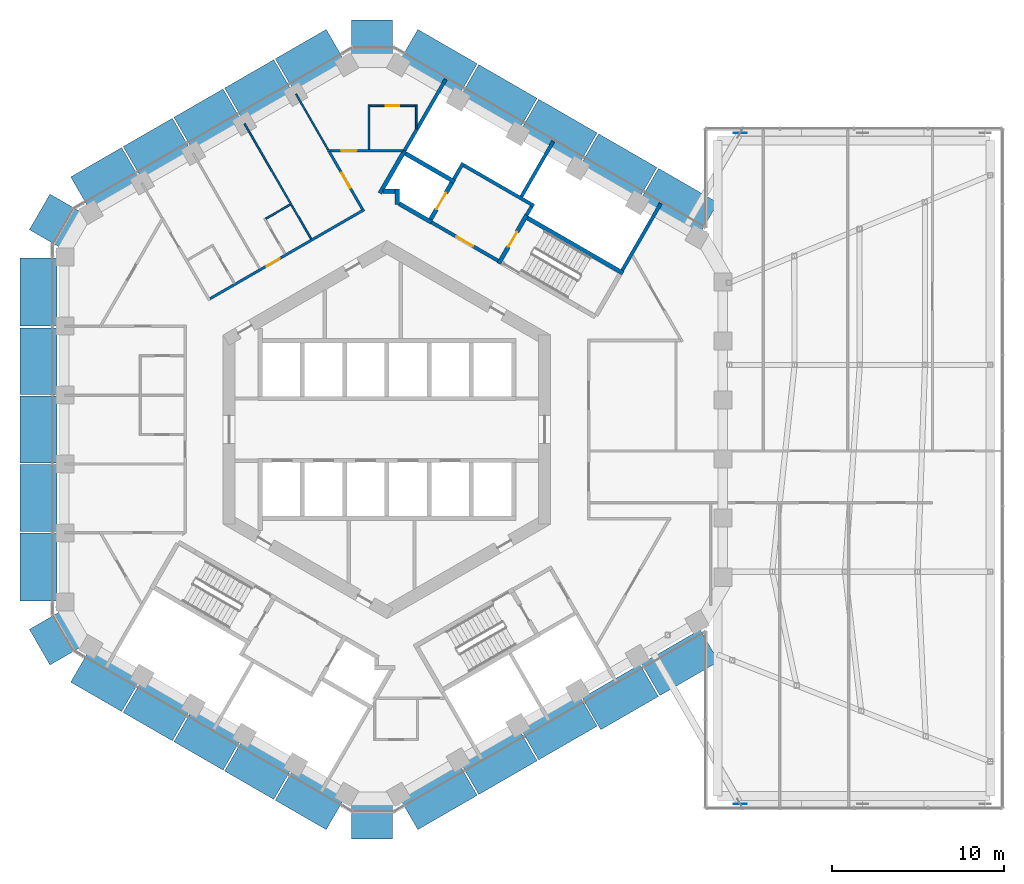
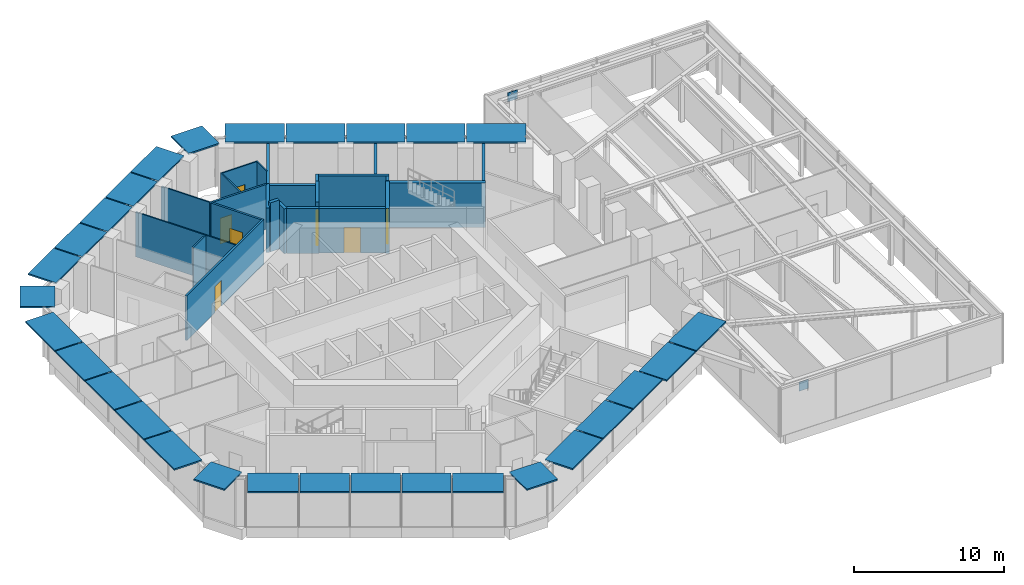
# One storey, part 19 of 24: 31 discrete accessories, 24 walls, 7 doors, 7 openings.
"""IFC4 building model written with IfcOpenShell, lengths in metres."""

from ifc_helpers import new_model, si_unit, direction, frame, frame_2d, origin, origin_2d, place, context, subcontext, project, spatial, rectangle, extrude, material, layer, layer_set, type_object, element, fill, save


model = new_model("IFC4")

# Units and contexts
model_context = context("Model", 3, precision=1e-05, world=origin(), true_north=direction((0.0, 1.0)))
body_context = subcontext(model_context, "Body", "Model", "MODEL_VIEW")
ifc_project = project(units=[si_unit("LENGTHUNIT", "METRE"), si_unit("AREAUNIT", "SQUARE_METRE"), si_unit("VOLUMEUNIT", "CUBIC_METRE"), si_unit("PLANEANGLEUNIT", "RADIAN"), si_unit("MASSUNIT", "GRAM", prefix="KILO")], contexts=[model_context])

# Site, building, storey
site_placement = place(None, origin())
site = spatial("IfcSite", under=ifc_project, at=site_placement, CompositionType="ELEMENT")
building_placement = place(site_placement, origin())
building = spatial("IfcBuilding", under=site, at=building_placement, Name="Ayvan Gate Tower", CompositionType="ELEMENT")
storey_placement = place(building_placement, frame((0.0, 0.0, 128.5)))
storey = spatial("IfcBuildingStorey", under=building, at=storey_placement, Name="L34", CompositionType="ELEMENT", Elevation=128.5)

# Wall, opening, door
ifc_material_1 = material(Name="Plasterboard on steel stud", Category="steel")
ifc_layer_1 = layer(ifc_material_1, 0.14990234375)
ifc_layer_set_1 = layer_set([ifc_layer_1], Name="Plasterboard on steel stud")
wall_type_1 = type_object("IfcWallType", Name="WT-CORR-150", PredefinedType="PARTITIONING", material=ifc_layer_set_1)
wall_1_placement = place(storey_placement, frame((-10.255126953125, 7.589111328125, 0.0), z_axis=(0.0, 0.0, 1.0), x_axis=(0.866015055687, 0.500017923002, 0.0)))
wall_1 = element("IfcWall", 1, at=wall_1_placement, inside=storey, type_object=wall_type_1, Name="IW-L34-018", PredefinedType="PARTITIONING", context=body_context, shape_type="SweptSolid", body=[
    extrude(rectangle(XDim=10.3232421875, YDim=0.14990234375, at=frame_2d((5.16162109375, 0.0))), origin(), (0.0, 0.0, 1.0), 3.64990234375),
])
opening_1_placement = place(wall_1_placement, frame((3.76611328125, 0.0, 0.0)))
opening_1 = element("IfcOpeningElement", 2, at=opening_1_placement, cuts=wall_1, Name="Opening L34-D29", PredefinedType="OPENING", context=body_context, shape_type="SweptSolid", body=[
    extrude(rectangle(XDim=0.89990234375, YDim=2.10009765625, at=frame_2d((0.449951171875, 1.050048828125))), frame((0.0, 0.0849609375, 0.0), z_axis=(0.0, -1.0, 0.0), x_axis=(1.0, 0.0, 0.0)), (0.0, 0.0, 1.0), 0.169921875),
])
ifc_material_2 = material(Name="Timber door leaf", Category="wood")
door_type_1 = type_object("IfcDoorType", Name="DT-900", OperationType="NOTDEFINED", PredefinedType="DOOR", material=ifc_material_2)
door_1_placement = place(opening_1_placement, origin())
door_1 = element("IfcDoor", 3, at=door_1_placement, inside=storey, type_object=door_type_1, Name="ID-L34-029", OperationType="SINGLE_SWING_LEFT", OverallHeight=2.10009765625, OverallWidth=0.89990234375, PredefinedType="DOOR", context=body_context, shape_type="SweptSolid", body=[
    extrude(rectangle(XDim=0.89990234375, YDim=2.10009765625, at=frame_2d((0.449951171875, 1.050048828125))), frame((0.0, 0.02490234375, 0.0), z_axis=(0.0, -1.0, 0.0), x_axis=(1.0, 0.0, 0.0)), (0.0, 0.0, 1.0), 0.050048828125),
])
fill(opening_1, door_1)

wall_2_placement = place(storey_placement, frame((-3.455322265625, 16.178466796875, 0.0), z_axis=(0.0, 0.0, 1.0), x_axis=(1.0, 0.0, 0.0)))
wall_2 = element("IfcWall", 4, at=wall_2_placement, inside=storey, type_object=wall_type_1, Name="IW-L34-044", PredefinedType="PARTITIONING", context=body_context, shape_type="SweptSolid", body=[
    extrude(rectangle(XDim=4.382080078125, YDim=0.14990234375, at=frame_2d((2.19091796875, 0.0))), origin(), (0.0, 0.0, 1.0), 3.64990234375),
])
opening_2_placement = place(wall_2_placement, frame((0.79541015625, 0.0, 0.0)))
opening_2 = element("IfcOpeningElement", 5, at=opening_2_placement, cuts=wall_2, Name="Opening L34-D17", PredefinedType="OPENING", context=body_context, shape_type="SweptSolid", body=[
    extrude(rectangle(XDim=0.89990234375, YDim=2.10009765625, at=frame_2d((0.449951171875, 1.050048828125))), frame((0.0, 0.0849609375, 0.0), z_axis=(0.0, -1.0, 0.0), x_axis=(1.0, 0.0, 0.0)), (0.0, 0.0, 1.0), 0.169921875),
])
door_2_placement = place(opening_2_placement, origin())
door_2 = element("IfcDoor", 6, at=door_2_placement, inside=storey, type_object=door_type_1, Name="ID-L34-017", OperationType="SINGLE_SWING_LEFT", OverallHeight=2.10009765625, OverallWidth=0.89990234375, PredefinedType="DOOR", context=body_context, shape_type="SweptSolid", body=[
    extrude(rectangle(XDim=0.89990234375, YDim=2.10009765625, at=frame_2d((0.449951171875, 1.050048828125))), frame((0.0, 0.02490234375, 0.0), z_axis=(0.0, -1.0, 0.0), x_axis=(1.0, 0.0, 0.0)), (0.0, 0.0, 1.0), 0.050048828125),
])
fill(opening_2, door_2)

wall_3_placement = place(storey_placement, frame((-1.417236328125, 12.7783203125, 0.0), z_axis=(0.0, 0.0, 1.0), x_axis=(-0.500018796845, 0.866014551149, 0.0)))
wall_3 = element("IfcWall", 7, at=wall_3_placement, inside=storey, type_object=wall_type_1, Name="IW-L34-050", PredefinedType="PARTITIONING", context=body_context, shape_type="SweptSolid", body=[
    extrude(rectangle(XDim=3.850830078125, YDim=0.14990234375, at=frame_2d((1.92529296875, 0.0))), origin(), (0.0, 0.0, 1.0), 3.64990234375),
])
opening_3_placement = place(wall_3_placement, frame((1.425537109375, 0.0, 0.0)))
opening_3 = element("IfcOpeningElement", 8, at=opening_3_placement, cuts=wall_3, Name="Opening L34-D28", PredefinedType="OPENING", context=body_context, shape_type="SweptSolid", body=[
    extrude(rectangle(XDim=1.0, YDim=2.10009765625, at=frame_2d((0.5, 1.050048828125))), frame((0.0, 0.0849609375, 0.0), z_axis=(0.0, -1.0, 0.0), x_axis=(1.0, 0.0, 0.0)), (0.0, 0.0, 1.0), 0.169921875),
])
door_type_2 = type_object("IfcDoorType", Name="DT-1000", OperationType="NOTDEFINED", PredefinedType="DOOR", material=ifc_material_2)
door_3_placement = place(opening_3_placement, origin())
door_3 = element("IfcDoor", 9, at=door_3_placement, inside=storey, type_object=door_type_2, Name="ID-L34-028", OperationType="SINGLE_SWING_RIGHT", OverallHeight=2.10009765625, OverallWidth=1.0, PredefinedType="DOOR", context=body_context, shape_type="SweptSolid", body=[
    extrude(rectangle(XDim=1.0, YDim=2.10009765625, at=frame_2d((0.5, 1.050048828125))), frame((0.0, 0.02490234375, 0.0), z_axis=(0.0, -1.0, 0.0), x_axis=(1.0, 0.0, 0.0)), (0.0, 0.0, 1.0), 0.050048828125),
])
fill(opening_3, door_3)

# Walls
ifc_layer_2 = layer(ifc_material_1, 0.10009765625)
ifc_layer_set_2 = layer_set([ifc_layer_2], Name="Plasterboard on steel stud")
wall_type_2 = type_object("IfcWallType", Name="WT-PART-100", PredefinedType="PARTITIONING", material=ifc_layer_set_2)
wall_4_placement = place(storey_placement, frame((-5.603271484375, 13.046142578125, 0.0), z_axis=(0.0, 0.0, 1.0), x_axis=(-0.866009679343, -0.500027234542, 0.0)))
element("IfcWall", 10, at=wall_4_placement, inside=storey, type_object=wall_type_2, Name="IW-L34-035", PredefinedType="PARTITIONING", context=body_context, shape_type="SweptSolid", body=[
    extrude(rectangle(XDim=1.64111328125, YDim=0.10009765625, at=frame_2d((0.820556640625, 0.0))), origin(), (0.0, 0.0, 1.0), 3.64990234375),
])
wall_5_placement = place(storey_placement, frame((-8.252685546875, 17.7353515625, 0.0), z_axis=(0.0, 0.0, 1.0), x_axis=(0.499983743644, -0.866034789193, 0.0)))
element("IfcWall", 11, at=wall_5_placement, inside=storey, type_object=wall_type_2, Name="IW-L34-036", PredefinedType="PARTITIONING", context=body_context, shape_type="SweptSolid", body=[
    extrude(rectangle(XDim=7.710693359375, YDim=0.10009765625, at=frame_2d((3.85546875, 0.0))), origin(), (0.0, 0.0, 1.0), 3.64990234375),
])
wall_6_placement = place(storey_placement, frame((-3.417724609375, 16.243408203125, 0.0), z_axis=(0.0, 0.0, 1.0), x_axis=(-0.500060473882, 0.865990486357, 0.0)))
element("IfcWall", 12, at=wall_6_placement, inside=storey, type_object=wall_type_2, Name="IW-L34-043", PredefinedType="PARTITIONING", context=body_context, shape_type="SweptSolid", body=[
    extrude(rectangle(XDim=3.70947265625, YDim=0.10009765625, at=frame_2d((1.854736328125, 0.0))), origin(), (0.0, 0.0, 1.0), 3.64990234375),
])
wall_7_placement = place(storey_placement, frame((-1.044189453125, 18.828369140625, 0.0), z_axis=(0.0, 0.0, 1.0), x_axis=(0.0, -1.0, 0.0)))
element("IfcWall", 13, at=wall_7_placement, inside=storey, type_object=wall_type_2, Name="IW-L34-051", PredefinedType="PARTITIONING", context=body_context, shape_type="SweptSolid", body=[
    extrude(rectangle(XDim=2.574951171875, YDim=0.10009765625, at=frame_2d((1.28759765625, 0.0))), origin(), (0.0, 0.0, 1.0), 3.64990234375),
])
wall_8_placement = place(storey_placement, frame((1.697509765625, 17.4404296875, 0.0), z_axis=(0.0, 0.0, 1.0), x_axis=(0.0, 1.0, 0.0)))
element("IfcWall", 14, at=wall_8_placement, inside=storey, type_object=wall_type_2, Name="IW-L34-070", PredefinedType="PARTITIONING", context=body_context, shape_type="SweptSolid", body=[
    extrude(rectangle(XDim=1.387939453125, YDim=0.10009765625, at=frame_2d((0.69384765625, 0.0))), origin(), (0.0, 0.0, 1.0), 3.64990234375),
])

# Wall, opening, door
wall_9_placement = place(storey_placement, frame((1.647705078125, 18.7783203125, 0.0), z_axis=(0.0, 0.0, 1.0), x_axis=(-1.0, 0.0, 0.0)))
wall_9 = element("IfcWall", 15, at=wall_9_placement, inside=storey, type_object=wall_type_2, Name="IW-L34-071", PredefinedType="PARTITIONING", context=body_context, shape_type="SweptSolid", body=[
    extrude(rectangle(XDim=2.641845703125, YDim=0.10009765625, at=frame_2d((1.32080078125, 0.0))), origin(), (0.0, 0.0, 1.0), 3.64990234375),
])
opening_4_placement = place(wall_9_placement, frame((0.9208984375, 0.0, 0.0)))
opening_4 = element("IfcOpeningElement", 16, at=opening_4_placement, cuts=wall_9, Name="Opening L34-D18", PredefinedType="OPENING", context=body_context, shape_type="SweptSolid", body=[
    extrude(rectangle(XDim=0.800048828125, YDim=2.10009765625, at=frame_2d((0.39990234375, 1.050048828125))), frame((0.0, 0.06005859375, 0.0), z_axis=(0.0, -1.0, 0.0), x_axis=(1.0, 0.0, 0.0)), (0.0, 0.0, 1.0), 0.1201171875),
])
door_type_3 = type_object("IfcDoorType", Name="DT-800", OperationType="NOTDEFINED", PredefinedType="DOOR", material=ifc_material_2)
door_4_placement = place(opening_4_placement, origin())
door_4 = element("IfcDoor", 17, at=door_4_placement, inside=storey, type_object=door_type_3, Name="ID-L34-018", OperationType="SINGLE_SWING_RIGHT", OverallHeight=2.10009765625, OverallWidth=0.800048828125, PredefinedType="DOOR", context=body_context, shape_type="SweptSolid", body=[
    extrude(rectangle(XDim=0.800048828125, YDim=2.10009765625, at=frame_2d((0.39990234375, 1.050048828125))), frame((0.0, 0.02490234375, 0.0), z_axis=(0.0, -1.0, 0.0), x_axis=(1.0, 0.0, 0.0)), (0.0, 0.0, 1.0), 0.050048828125),
])
fill(opening_4, door_4)

# Walls
ifc_layer_3 = layer(ifc_material_1, 0.199951171875)
ifc_layer_set_3 = layer_set([ifc_layer_3], Name="Plasterboard on steel stud")
wall_type_3 = type_object("IfcWallType", Name="WT-PLUMB-200", PredefinedType="PLUMBINGWALL", material=ifc_layer_set_3)
wall_10_placement = place(storey_placement, frame((1.027099609375, 16.178955078125, 0.0), z_axis=(0.0, 0.0, 1.0), x_axis=(0.499991561973, 0.866030275427, 0.0)))
element("IfcWall", 18, at=wall_10_placement, inside=storey, type_object=wall_type_3, Name="IW-L34-066", PredefinedType="PLUMBINGWALL", context=body_context, shape_type="SweptSolid", body=[
    extrude(rectangle(XDim=4.76416015625, YDim=0.199951171875, at=frame_2d((2.382080078125, 0.0))), origin(), (0.0, 0.0, 1.0), 3.64990234375),
])
wall_11_placement = place(storey_placement, frame((3.885009765625, 14.52880859375, 0.0), z_axis=(0.0, 0.0, 1.0), x_axis=(0.499997628298, 0.866026773083, 0.0)))
element("IfcWall", 19, at=wall_11_placement, inside=storey, type_object=wall_type_3, Name="IW-L34-080", PredefinedType="PLUMBINGWALL", context=body_context, shape_type="SweptSolid", body=[
    extrude(rectangle(XDim=1.0751953125, YDim=0.199951171875, at=frame_2d((0.53759765625, 0.0))), origin(), (0.0, 0.0, 1.0), 3.64990234375),
])
wall_12_placement = place(storey_placement, frame((4.458984375, 15.323486328125, 0.0), z_axis=(0.0, 0.0, 1.0), x_axis=(0.866016039709, -0.500016218704, 0.0)))
element("IfcWall", 20, at=wall_12_placement, inside=storey, type_object=wall_type_3, Name="IW-L34-081", PredefinedType="PLUMBINGWALL", context=body_context, shape_type="SweptSolid", body=[
    extrude(rectangle(XDim=4.699951171875, YDim=0.199951171875, at=frame_2d((2.35009765625, 0.0))), origin(), (0.0, 0.0, 1.0), 3.64990234375),
])
wall_13_placement = place(storey_placement, frame((7.800048828125, 13.510009765625, 0.0), z_axis=(0.0, 0.0, 1.0), x_axis=(0.499989793889, 0.866031296205, 0.0)))
element("IfcWall", 21, at=wall_13_placement, inside=storey, type_object=wall_type_3, Name="IW-L34-093", PredefinedType="PLUMBINGWALL", context=body_context, shape_type="SweptSolid", body=[
    extrude(rectangle(XDim=3.68896484375, YDim=0.199951171875, at=frame_2d((1.844482421875, 0.0))), origin(), (0.0, 0.0, 1.0), 3.64990234375),
])
wall_14_placement = place(storey_placement, frame((8.392822265625, 12.936767578125, 0.0), z_axis=(0.0, 0.0, 1.0), x_axis=(-0.500065409566, -0.86598763626, 0.0)))
element("IfcWall", 22, at=wall_14_placement, inside=storey, type_object=wall_type_3, Name="IW-L34-095", PredefinedType="PLUMBINGWALL", context=body_context, shape_type="SweptSolid", body=[
    extrude(rectangle(XDim=0.5751953125, YDim=0.199951171875, at=frame_2d((0.28759765625, 0.0))), origin(), (0.0, 0.0, 1.0), 3.64990234375),
])
wall_15_placement = place(storey_placement, frame((13.64794921875, 9.23876953125, 0.0), z_axis=(0.0, 0.0, 1.0), x_axis=(0.499962311098, 0.866047162388, 0.0)))
element("IfcWall", 23, at=wall_15_placement, inside=storey, type_object=wall_type_3, Name="IW-L34-106", PredefinedType="PLUMBINGWALL", context=body_context, shape_type="SweptSolid", body=[
    extrude(rectangle(XDim=4.464111328125, YDim=0.199951171875, at=frame_2d((2.23193359375, 0.0))), origin(), (0.0, 0.0, 1.0), 3.64990234375),
])

# Wall, opening, door
ifc_layer_4 = layer(ifc_material_1, 0.199951171875)
ifc_layer_set_4 = layer_set([ifc_layer_4], Name="Plasterboard on steel stud")
wall_type_4 = type_object("IfcWallType", Name="WT-RATED-200", PredefinedType="PARTITIONING", material=ifc_layer_set_4)
wall_16_placement = place(storey_placement, frame((6.4345703125, 9.794921875, 0.0), z_axis=(0.0, 0.0, 1.0), x_axis=(-0.866012907634, 0.500021643343, 0.0)))
wall_16 = element("IfcWall", 24, at=wall_16_placement, inside=storey, type_object=wall_type_4, Name="IW-L34-084", PredefinedType="PARTITIONING", context=body_context, shape_type="SweptSolid", body=[
    extrude(rectangle(XDim=4.449951171875, YDim=0.199951171875, at=frame_2d((2.22509765625, 0.0))), origin(), (0.0, 0.0, 1.0), 3.64990234375),
])
opening_5_placement = place(wall_16_placement, frame((1.675048828125, 0.0, 0.0)))
opening_5 = element("IfcOpeningElement", 25, at=opening_5_placement, cuts=wall_16, Name="Opening L34-D08", PredefinedType="OPENING", context=body_context, shape_type="SweptSolid", body=[
    extrude(rectangle(XDim=1.10009765625, YDim=2.10009765625, at=frame_2d((0.550048828125, 1.050048828125))), frame((0.0, 0.10986328125, 0.0), z_axis=(0.0, -1.0, 0.0), x_axis=(1.0, 0.0, 0.0)), (0.0, 0.0, 1.0), 0.219970703125),
])
door_type_4 = type_object("IfcDoorType", Name="DT-1100", OperationType="NOTDEFINED", PredefinedType="DOOR", material=ifc_material_2)
door_5_placement = place(opening_5_placement, origin())
door_5 = element("IfcDoor", 26, at=door_5_placement, inside=storey, type_object=door_type_4, Name="ID-L34-008", OperationType="SINGLE_SWING_RIGHT", OverallHeight=2.10009765625, OverallWidth=1.10009765625, PredefinedType="DOOR", context=body_context, shape_type="SweptSolid", body=[
    extrude(rectangle(XDim=1.10009765625, YDim=2.10009765625, at=frame_2d((0.550048828125, 1.050048828125))), frame((0.0, 0.02490234375, 0.0), z_axis=(0.0, -1.0, 0.0), x_axis=(1.0, 0.0, 0.0)), (0.0, 0.0, 1.0), 0.050048828125),
])
fill(opening_5, door_5)

# Walls
ifc_material_3 = material(Name="Concrete C50/60", Category="concrete")
ifc_layer_5 = layer(ifc_material_3, 0.25)
ifc_layer_set_5 = layer_set([ifc_layer_5], Name="Concrete C50/60")
wall_type_5 = type_object("IfcWallType", Name="WT-RC-250", PredefinedType="SHEAR", material=ifc_layer_set_5)
wall_17_placement = place(storey_placement, frame((-0.403076171875, 13.70166015625, 0.0), z_axis=(0.0, 0.0, 1.0), x_axis=(0.499976111731, 0.866039195244, 0.0)))
element("IfcWall", 27, at=wall_17_placement, inside=storey, type_object=wall_type_5, Name="IW-L34-059", PredefinedType="SHEAR", context=body_context, shape_type="SweptSolid", body=[
    extrude(rectangle(XDim=2.860595703125, YDim=0.25, at=frame_2d((1.43017578125, 0.0))), origin(), (0.0, 0.0, 1.0), 3.64990234375),
])
wall_18_placement = place(storey_placement, frame((0.60009765625, 13.03857421875, 0.0), z_axis=(0.0, 0.0, 1.0), x_axis=(0.0, 1.0, 0.0)))
element("IfcWall", 28, at=wall_18_placement, inside=storey, type_object=wall_type_5, Name="IW-L34-063", PredefinedType="SHEAR", context=body_context, shape_type="SweptSolid", body=[
    extrude(rectangle(XDim=0.896484375, YDim=0.25, at=frame_2d((0.4482421875, 0.0))), origin(), (0.0, 0.0, 1.0), 3.64990234375),
])
wall_19_placement = place(storey_placement, frame((0.47509765625, 13.81005859375, 0.0), z_axis=(0.0, 0.0, 1.0), x_axis=(-1.0, 0.0, 0.0)))
element("IfcWall", 29, at=wall_19_placement, inside=storey, type_object=wall_type_5, Name="IW-L34-064", PredefinedType="SHEAR", context=body_context, shape_type="SweptSolid", body=[
    extrude(rectangle(XDim=0.690673828125, YDim=0.25, at=frame_2d((0.34521484375, 0.0))), origin(), (0.0, 0.0, 1.0), 4.0),
])
wall_20_placement = place(storey_placement, frame((1.072998046875, 16.00830078125, 0.0), z_axis=(0.0, 0.0, 1.0), x_axis=(0.866040211805, -0.499974350878, 0.0)))
element("IfcWall", 30, at=wall_20_placement, inside=storey, type_object=wall_type_5, Name="IW-L34-067", PredefinedType="SHEAR", context=body_context, shape_type="SweptSolid", body=[
    extrude(rectangle(XDim=3.300048828125, YDim=0.25, at=frame_2d((1.64990234375, 0.0))), origin(), (0.0, 0.0, 1.0), 3.64990234375),
])
wall_21_placement = place(storey_placement, frame((2.580810546875, 12.02001953125, 0.0), z_axis=(0.0, 0.0, 1.0), x_axis=(-0.86603892542, 0.499976579108, 0.0)))
element("IfcWall", 31, at=wall_21_placement, inside=storey, type_object=wall_type_5, Name="IW-L34-076", PredefinedType="SHEAR", context=body_context, shape_type="SweptSolid", body=[
    extrude(rectangle(XDim=2.162109375, YDim=0.25, at=frame_2d((1.0810546875, 0.0))), origin(), (0.0, 0.0, 1.0), 3.64990234375),
])

# Wall, opening, door
wall_22_placement = place(storey_placement, frame((2.534912109375, 12.19091796875, 0.0), z_axis=(0.0, 0.0, 1.0), x_axis=(0.500061746146, 0.865989751695, 0.0)))
wall_22 = element("IfcWall", 32, at=wall_22_placement, inside=storey, type_object=wall_type_5, Name="IW-L34-077", PredefinedType="SHEAR", context=body_context, shape_type="SweptSolid", body=[
    extrude(rectangle(XDim=2.449951171875, YDim=0.25, at=frame_2d((1.22509765625, 0.0))), origin(), (0.0, 0.0, 1.0), 4.0),
])
opening_6_placement = place(wall_22_placement, frame((0.675048828125, 0.0, 0.0)))
opening_6 = element("IfcOpeningElement", 33, at=opening_6_placement, cuts=wall_22, Name="Opening L34-LD-FF1", PredefinedType="OPENING", context=body_context, shape_type="SweptSolid", body=[
    extrude(rectangle(XDim=1.10009765625, YDim=2.10009765625, at=frame_2d((0.550048828125, 1.050048828125))), frame((0.0, 0.135009765625, 0.0), z_axis=(0.0, -1.0, 0.0), x_axis=(1.0, 0.0, 0.0)), (0.0, 0.0, 1.0), 0.27001953125),
])
ifc_material_4 = material(Name="Stainless steel landing door", Category="steel")
door_type_5 = type_object("IfcDoorType", Name="DT-LANDING-1100", OperationType="SLIDING_TO_LEFT", PredefinedType="DOOR", material=ifc_material_4)
door_6_placement = place(opening_6_placement, origin())
door_6 = element("IfcDoor", 34, at=door_6_placement, inside=storey, type_object=door_type_5, Name="ID-L34-009", OperationType="SLIDING_TO_LEFT", OverallHeight=2.10009765625, OverallWidth=1.10009765625, PredefinedType="DOOR", context=body_context, shape_type="SweptSolid", body=[
    extrude(rectangle(XDim=1.10009765625, YDim=2.10009765625, at=frame_2d((0.550048828125, 1.050048828125))), frame((0.0, 0.02490234375, 0.0), z_axis=(0.0, -1.0, 0.0), x_axis=(1.0, 0.0, 0.0)), (0.0, 0.0, 1.0), 0.050048828125),
])
fill(opening_6, door_6)

wall_23_placement = place(storey_placement, frame((6.480224609375, 9.624267578125, 0.0), z_axis=(0.0, 0.0, 1.0), x_axis=(0.500017246033, 0.866015446554, 0.0)))
wall_23 = element("IfcWall", 35, at=wall_23_placement, inside=storey, type_object=wall_type_5, Name="IW-L34-085", PredefinedType="SHEAR", context=body_context, shape_type="SweptSolid", body=[
    extrude(rectangle(XDim=3.25, YDim=0.25, at=frame_2d((1.625, 0.0))), origin(), (0.0, 0.0, 1.0), 3.64990234375),
])
opening_7_placement = place(wall_23_placement, frame((1.125, 0.0, 0.0)))
opening_7 = element("IfcOpeningElement", 36, at=opening_7_placement, cuts=wall_23, Name="Opening L34-D07", PredefinedType="OPENING", context=body_context, shape_type="SweptSolid", body=[
    extrude(rectangle(XDim=1.0, YDim=2.10009765625, at=frame_2d((0.5, 1.050048828125))), frame((0.0, 0.135009765625, 0.0), z_axis=(0.0, -1.0, 0.0), x_axis=(1.0, 0.0, 0.0)), (0.0, 0.0, 1.0), 0.27001953125),
])
door_7_placement = place(opening_7_placement, origin())
door_7 = element("IfcDoor", 37, at=door_7_placement, inside=storey, type_object=door_type_2, Name="ID-L34-007", OperationType="SINGLE_SWING_LEFT", OverallHeight=2.10009765625, OverallWidth=1.0, PredefinedType="DOOR", context=body_context, shape_type="SweptSolid", body=[
    extrude(rectangle(XDim=1.0, YDim=2.10009765625, at=frame_2d((0.5, 1.050048828125))), frame((0.0, 0.02490234375, 0.0), z_axis=(0.0, -1.0, 0.0), x_axis=(1.0, 0.0, 0.0)), (0.0, 0.0, 1.0), 0.050048828125),
])
fill(opening_7, door_7)

# Wall
wall_24_placement = place(storey_placement, frame((8.151123046875, 12.26806640625, 0.0), z_axis=(0.0, 0.0, 1.0), x_axis=(0.866025499775, -0.499999833739, 0.0)))
element("IfcWall", 38, at=wall_24_placement, inside=storey, type_object=wall_type_5, Name="IW-L34-094", PredefinedType="SHEAR", context=body_context, shape_type="SweptSolid", body=[
    extrude(rectangle(XDim=6.39990234375, YDim=0.25, at=frame_2d((3.199951171875, 0.0))), origin(), (0.0, 0.0, 1.0), 3.64990234375),
])

# Discrete accessories
ifc_material_5 = material(Name="Stainless steel 316", Category="steel")
ifc_layer_6 = layer(ifc_material_5, 0.1201171875)
ifc_layer_set_6 = layer_set([ifc_layer_6], Name="Stainless steel 316")
discrete_accessory_type_1 = type_object("IfcDiscreteAccessoryType", Name="Fin carrier bracket", PredefinedType="BRACKET", material=ifc_layer_set_6)
discrete_accessory_1_placement = place(storey_placement, frame((-20.204345703125, -7.968017578125, 3.8798828125), z_axis=(0.0, 0.0, 1.0), x_axis=(0.0, -1.0, 0.0)))
element("IfcDiscreteAccessory", 39, at=discrete_accessory_1_placement, inside=storey, type_object=discrete_accessory_type_1, Name="Fin carrier 62", PredefinedType="BRACKET", context=body_context, shape_type="SweptSolid", body=[
    extrude(rectangle(XDim=3.93798828125, YDim=2.14306640625, at=origin_2d()), origin(), (0.0, 0.0, 1.0), 0.1201171875),
])
for number, where, z_axis, x_axis, name in (
    (40, (-20.204345703125, -3.966064453125, 3.8798828125), (0.0, 0.0, 1.0), (0.0, -1.0, 0.0), "Fin carrier 67"),
    (41, (-20.204345703125, 0.0, 3.8798828125), (0.0, 0.0, 1.0), (0.0, -1.0, 0.0), "Fin carrier 72"),
    (42, (-20.204345703125, 3.966064453125, 3.8798828125), (0.0, 0.0, 1.0), (0.0, -1.0, 0.0), "Fin carrier 77"),
):
    element("IfcDiscreteAccessory", number, at=place(storey_placement, frame(where, z_axis=z_axis, x_axis=x_axis)), inside=storey, type_object=discrete_accessory_type_1, Name=name, PredefinedType="BRACKET", context=body_context, shape_type="SweptSolid", body=[
        extrude(rectangle(XDim=3.865966796875, YDim=2.14306640625, at=origin_2d()), origin(), (0.0, 0.0, 1.0), 0.1201171875),
    ])
discrete_accessory_2_placement = place(storey_placement, frame((-20.204345703125, 7.968017578125, 3.8798828125), z_axis=(0.0, 0.0, 1.0), x_axis=(0.0, -1.0, 0.0)))
element("IfcDiscreteAccessory", 43, at=discrete_accessory_2_placement, inside=storey, type_object=discrete_accessory_type_1, Name="Fin carrier 82", PredefinedType="BRACKET", context=body_context, shape_type="SweptSolid", body=[
    extrude(rectangle(XDim=3.93798828125, YDim=2.14306640625, at=origin_2d()), origin(), (0.0, 0.0, 1.0), 0.1201171875),
])
for number, where, z_axis, x_axis, name in (
    (44, (-19.124267578125, -12.037109375, 3.8798828125), (0.0, 0.0, 1.0), (0.5, -0.866025403784, 0.0), "Fin carrier 100"),
    (45, (-19.124267578125, 12.037109375, 3.8798828125), (0.0, 0.0, 1.0), (-0.5, -0.866025403784, 0.0), "Fin carrier 121"),
):
    element("IfcDiscreteAccessory", number, at=place(storey_placement, frame(where, z_axis=z_axis, x_axis=x_axis)), inside=storey, type_object=discrete_accessory_type_1, Name=name, PredefinedType="BRACKET", context=body_context, shape_type="SweptSolid", body=[
        extrude(rectangle(XDim=2.386474609375, YDim=2.3369140625, at=origin_2d()), origin(), (0.0, 0.0, 1.0), 0.1201171875),
    ])
for number, where, z_axis, x_axis, name in (
    (46, (-16.322021484375, -14.573486328125, 3.8798828125), (0.0, 0.0, 1.0), (0.866025403784, -0.5, 0.0), "Fin carrier 211"),
    (47, (-16.322021484375, 14.573486328125, 3.8798828125), (0.0, 0.0, 1.0), (-0.866025403784, -0.5, 0.0), "Fin carrier 216"),
):
    element("IfcDiscreteAccessory", number, at=place(storey_placement, frame(where, z_axis=z_axis, x_axis=x_axis)), inside=storey, type_object=discrete_accessory_type_1, Name=name, PredefinedType="BRACKET", context=body_context, shape_type="SweptSolid", body=[
        extrude(rectangle(XDim=3.412109375, YDim=2.14306640625, at=origin_2d()), origin(), (0.0, 0.0, 1.0), 0.1201171875),
    ])
for number, where, z_axis, x_axis, name in (
    (48, (-13.331298828125, -16.30029296875, 3.8798828125), (0.0, 0.0, 1.0), (0.866025403784, -0.5, 0.0), "Fin carrier 274"),
    (49, (-13.3310546875, 16.30029296875, 3.8798828125), (0.0, 0.0, 1.0), (-0.866025403784, -0.5, 0.0), "Fin carrier 278"),
    (50, (-10.39111328125, -17.997802734375, 3.8798828125), (0.0, 0.0, 1.0), (0.866025403784, -0.5, 0.0), "Fin carrier 332"),
    (51, (-10.39111328125, 17.997802734375, 3.8798828125), (0.0, 0.0, 1.0), (-0.866025403784, -0.5, 0.0), "Fin carrier 340"),
    (52, (-7.450927734375, -19.6953125, 3.8798828125), (0.0, 0.0, 1.0), (0.866025403784, -0.5, 0.0), "Fin carrier 393"),
    (53, (-7.450927734375, 19.6953125, 3.8798828125), (0.0, 0.0, 1.0), (-0.866025403784, -0.5, 0.0), "Fin carrier 403"),
):
    element("IfcDiscreteAccessory", number, at=place(storey_placement, frame(where, z_axis=z_axis, x_axis=x_axis)), inside=storey, type_object=discrete_accessory_type_1, Name=name, PredefinedType="BRACKET", context=body_context, shape_type="SweptSolid", body=[
        extrude(rectangle(XDim=3.294921875, YDim=2.14306640625, at=origin_2d()), origin(), (0.0, 0.0, 1.0), 0.1201171875),
    ])
for number, where, z_axis, x_axis, name in (
    (54, (-4.460205078125, -21.422119140625, 3.8798828125), (0.0, 0.0, 1.0), (0.866025403784, -0.5, 0.0), "Fin carrier 448"),
    (55, (-4.4599609375, 21.422119140625, 3.8798828125), (0.0, 0.0, 1.0), (-0.866025403784, -0.5, 0.0), "Fin carrier 458"),
):
    element("IfcDiscreteAccessory", number, at=place(storey_placement, frame(where, z_axis=z_axis, x_axis=x_axis)), inside=storey, type_object=discrete_accessory_type_1, Name=name, PredefinedType="BRACKET", context=body_context, shape_type="SweptSolid", body=[
        extrude(rectangle(XDim=3.412109375, YDim=2.14306640625, at=origin_2d()), origin(), (0.0, 0.0, 1.0), 0.1201171875),
    ])
for number, where, z_axis, x_axis, name in (
    (56, (-0.8623046875, -22.580810546875, 3.8798828125), (0.0, 0.0, 1.0), (1.0, 0.0, 0.0), "Fin carrier 501"),
    (57, (-0.8623046875, 22.580810546875, 3.8798828125), (0.0, 0.0, 1.0), (-1.0, 0.0, 0.0), "Fin carrier 509"),
):
    element("IfcDiscreteAccessory", number, at=place(storey_placement, frame(where, z_axis=z_axis, x_axis=x_axis)), inside=storey, type_object=discrete_accessory_type_1, Name=name, PredefinedType="BRACKET", context=body_context, shape_type="SweptSolid", body=[
        extrude(rectangle(XDim=2.386474609375, YDim=2.3369140625, at=origin_2d()), origin(), (0.0, 0.0, 1.0), 0.1201171875),
    ])
for number, where, z_axis, x_axis, name in (
    (58, (2.98046875, -21.280517578125, 3.8798828125), (0.0, 0.0, 1.0), (0.866025403784, 0.5, 0.0), "Fin carrier 559"),
    (59, (2.980712890625, 21.280517578125, 3.8798828125), (0.0, 0.0, 1.0), (-0.866025403784, 0.5, 0.0), "Fin carrier 568"),
):
    element("IfcDiscreteAccessory", number, at=place(storey_placement, frame(where, z_axis=z_axis, x_axis=x_axis)), inside=storey, type_object=discrete_accessory_type_1, Name=name, PredefinedType="BRACKET", context=body_context, shape_type="SweptSolid", body=[
        extrude(rectangle(XDim=3.97802734375, YDim=2.14306640625, at=origin_2d()), origin(), (0.0, 0.0, 1.0), 0.1201171875),
    ])
for number, where, z_axis, x_axis, name in (
    (60, (6.484130859375, -19.2578125, 3.8798828125), (0.0, 0.0, 1.0), (0.866025403784, 0.5, 0.0), "Fin carrier 621"),
    (61, (6.484130859375, 19.2578125, 3.8798828125), (0.0, 0.0, 1.0), (-0.866025403784, 0.5, 0.0), "Fin carrier 638"),
):
    element("IfcDiscreteAccessory", number, at=place(storey_placement, frame(where, z_axis=z_axis, x_axis=x_axis)), inside=storey, type_object=discrete_accessory_type_1, Name=name, PredefinedType="BRACKET", context=body_context, shape_type="SweptSolid", body=[
        extrude(rectangle(XDim=3.9130859375, YDim=2.14306640625, at=origin_2d()), origin(), (0.0, 0.0, 1.0), 0.1201171875),
    ])
for number, where, z_axis, x_axis, name in (
    (62, (9.9599609375, -17.251220703125, 3.8798828125), (0.0, 0.0, 1.0), (0.866025403784, 0.5, 0.0), "Fin carrier 693"),
    (63, (9.9599609375, 17.2509765625, 3.8798828125), (0.0, 0.0, 1.0), (-0.866025403784, 0.5, 0.0), "Fin carrier 700"),
):
    element("IfcDiscreteAccessory", number, at=place(storey_placement, frame(where, z_axis=z_axis, x_axis=x_axis)), inside=storey, type_object=discrete_accessory_type_1, Name=name, PredefinedType="BRACKET", context=body_context, shape_type="SweptSolid", body=[
        extrude(rectangle(XDim=3.9140625, YDim=2.14306640625, at=origin_2d()), origin(), (0.0, 0.0, 1.0), 0.1201171875),
    ])
discrete_accessory_3_placement = place(storey_placement, frame((13.536865234375, -15.514404296875, 3.8798828125), z_axis=(0.0, 0.0, 1.0), x_axis=(0.866025403784, 0.5, 0.0)))
element("IfcDiscreteAccessory", 64, at=discrete_accessory_3_placement, inside=storey, type_object=discrete_accessory_type_1, Name="Fin carrier 759", PredefinedType="BRACKET", context=body_context, shape_type="SweptSolid", body=[
    extrude(rectangle(XDim=3.865966796875, YDim=2.14306640625, at=origin_2d()), origin(), (0.0, 0.0, 1.0), 0.1201171875),
])
discrete_accessory_4_placement = place(storey_placement, frame((13.435791015625, 15.244384765625, 3.8798828125), z_axis=(0.0, 0.0, 1.0), x_axis=(-0.866025403784, 0.5, 0.0)))
element("IfcDiscreteAccessory", 65, at=discrete_accessory_4_placement, inside=storey, type_object=discrete_accessory_type_1, Name="Fin carrier 762", PredefinedType="BRACKET", context=body_context, shape_type="SweptSolid", body=[
    extrude(rectangle(XDim=3.9130859375, YDim=2.14306640625, at=origin_2d()), origin(), (0.0, 0.0, 1.0), 0.1201171875),
])
discrete_accessory_5_placement = place(storey_placement, frame((17.002685546875, -13.513427734375, 3.8798828125), z_axis=(0.0, 0.0, 1.0), x_axis=(0.866025403784, 0.5, 0.0)))
element("IfcDiscreteAccessory", 66, at=discrete_accessory_5_placement, inside=storey, type_object=discrete_accessory_type_1, Name="Fin carrier 822", PredefinedType="BRACKET", context=body_context, shape_type="SweptSolid", body=[
    extrude(rectangle(XDim=3.93798828125, YDim=2.14306640625, at=origin_2d()), origin(), (0.0, 0.0, 1.0), 0.1201171875),
])
discrete_accessory_6_placement = place(storey_placement, frame((16.939208984375, 13.221435546875, 3.8798828125), z_axis=(0.0, 0.0, 1.0), x_axis=(-0.866025403784, 0.5, 0.0)))
element("IfcDiscreteAccessory", 67, at=discrete_accessory_6_placement, inside=storey, type_object=discrete_accessory_type_1, Name="Fin carrier 825", PredefinedType="BRACKET", context=body_context, shape_type="SweptSolid", body=[
    extrude(rectangle(XDim=3.97802734375, YDim=2.14306640625, at=origin_2d()), origin(), (0.0, 0.0, 1.0), 0.1201171875),
])
ifc_material_6 = material(Name="Steel S460ML", Category="steel")
ifc_layer_7 = layer(ifc_material_6, 0.030029296875)
ifc_layer_set_7 = layer_set([ifc_layer_7], Name="Steel S460ML")
discrete_accessory_type_2 = type_object("IfcDiscreteAccessoryType", Name="Gusset plate 30 mm", PredefinedType="BRACKET", material=ifc_layer_set_7)
for number, where, z_axis, x_axis, name in (
    (68, (20.485595703125, 17.205078125, 2.98193359375), (0.0, 0.0, 1.0), (1.0, 0.0, 0.0), "Gusset plate SBX2-A-D-2"),
    (69, (20.485595703125, -21.705078125, 2.98193359375), (0.0, 0.0, 1.0), (1.0, 0.0, 0.0), "Gusset plate SBX2-B-D-2"),
):
    element("IfcDiscreteAccessory", number, at=place(storey_placement, frame(where, z_axis=z_axis, x_axis=x_axis)), inside=storey, type_object=discrete_accessory_type_2, Name=name, PredefinedType="BRACKET", context=body_context, shape_type="SweptSolid", body=[
        extrude(rectangle(XDim=0.736083984375, YDim=0.030029296875, at=origin_2d()), origin(), (0.0, 0.0, 1.0), 0.736083984375),
    ])

save(model, "model.ifc")
